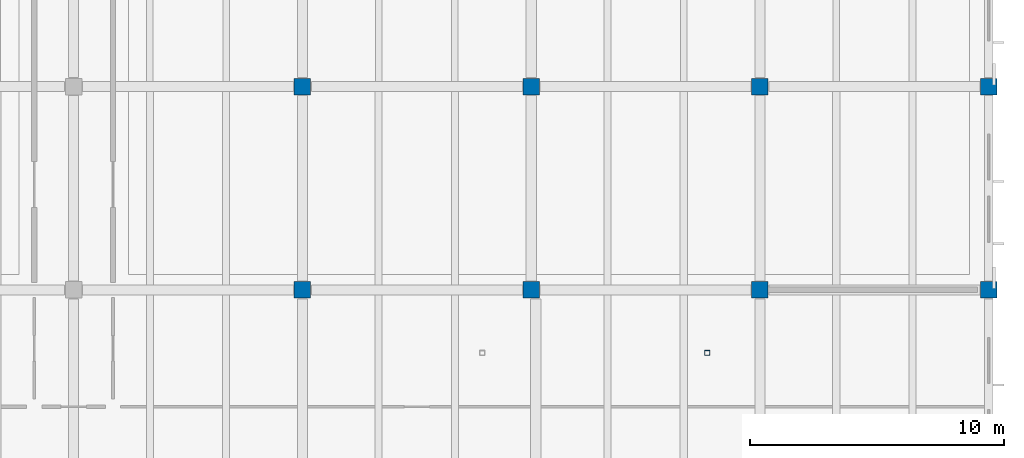
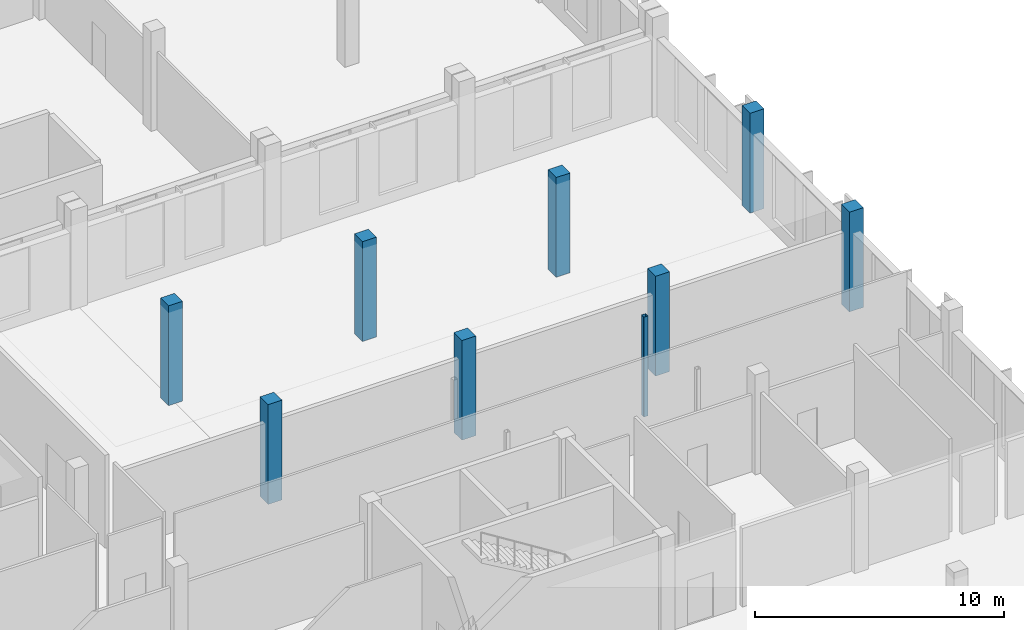
# One storey, part 8 of 110: 9 columns.
"""IFC4 building model written with IfcOpenShell, lengths in metres."""

from ifc_helpers import new_model, si_unit, direction, frame, origin, origin_2d, place, context, subcontext, project, spatial, rectangle, hollow_rectangle, extrude, material, material_profile, profile_set, type_object, element, save


model = new_model("IFC4")

# Units and contexts
model_context = context("Model", 3, precision=1e-05, world=origin(), true_north=direction((0.0, 1.0)))
body_context = subcontext(model_context, "Body", "Model", "MODEL_VIEW")
ifc_project = project(units=[si_unit("LENGTHUNIT", "METRE"), si_unit("AREAUNIT", "SQUARE_METRE"), si_unit("VOLUMEUNIT", "CUBIC_METRE"), si_unit("PLANEANGLEUNIT", "RADIAN"), si_unit("MASSUNIT", "GRAM", prefix="KILO")], contexts=[model_context])

# Site, building, storey
site_placement = place(None, origin())
site = spatial("IfcSite", under=ifc_project, at=site_placement, CompositionType="ELEMENT")
building_placement = place(site_placement, origin())
building = spatial("IfcBuilding", under=site, at=building_placement, Name="Zacnel Wholesale Market", CompositionType="ELEMENT")
storey_placement = place(building_placement, frame((0.0, 0.0, 6.300048828125)))
storey = spatial("IfcBuildingStorey", under=building, at=storey_placement, Name="L02", CompositionType="ELEMENT", Elevation=6.300048828125)

# Columns
ifc_material_1 = material(Name="Precast concrete C45/55", Category="concrete")
ifc_material_profile_1 = material_profile(ifc_material_1, rectangle(XDim=0.64990234375, YDim=0.64990234375, at=origin_2d()), Name="PC 650x650")
ifc_profile_set_1 = profile_set([ifc_material_profile_1], Name="Precast concrete C45/55")
column_type_1 = type_object("IfcColumnType", Name="COL-PC650", PredefinedType="COLUMN", material=ifc_profile_set_1)
for number, where, z_axis, x_axis, name in (
    (1, (189.0, 32.0, 0.0), (0.0, 0.0, 1.0), (1.0, 0.0, 0.0), "Precast column L02-0595"),
    (2, (189.0, 40.0, 0.0), (0.0, 0.0, 1.0), (1.0, 0.0, 0.0), "Precast column L02-0596"),
    (3, (198.0, 32.0, 0.0), (0.0, 0.0, 1.0), (1.0, 0.0, 0.0), "Precast column L02-0611"),
    (4, (198.0, 40.0, 0.0), (0.0, 0.0, 1.0), (1.0, 0.0, 0.0), "Precast column L02-0612"),
    (5, (207.0, 32.0, 0.0), (0.0, 0.0, 1.0), (1.0, 0.0, 0.0), "Precast column L02-0624"),
    (6, (207.0, 40.0, 0.0), (0.0, 0.0, 1.0), (1.0, 0.0, 0.0), "Precast column L02-0625"),
    (7, (216.0, 32.0, 0.0), (0.0, 0.0, 1.0), (1.0, 0.0, 0.0), "Precast column L02-0637"),
    (8, (216.0, 40.0, 0.0), (0.0, 0.0, 1.0), (1.0, 0.0, 0.0), "Precast column L02-0638"),
):
    element("IfcColumn", number, at=place(storey_placement, frame(where, z_axis=z_axis, x_axis=x_axis)), inside=storey, type_object=column_type_1, Name=name, PredefinedType="COLUMN", context=body_context, shape_type="SweptSolid", body=[
        extrude(rectangle(XDim=0.64990234375, YDim=0.64990234375, at=origin_2d()), origin(), (0.0, 0.0, 1.0), 4.89990234375),
    ])
ifc_material_2 = material(Name="Steel S355", Category="steel")
ifc_material_profile_2 = material_profile(ifc_material_2, hollow_rectangle(XDim=0.199951171875, YDim=0.199951171875, WallThickness=0.010009765625, InnerFilletRadius=0.010009765625, OuterFilletRadius=0.02001953125, at=origin_2d()), Name="HSS 200x200x10")
ifc_profile_set_2 = profile_set([ifc_material_profile_2], Name="Steel S355")
column_type_2 = type_object("IfcColumnType", Name="COL-STL-HSS200", PredefinedType="COLUMN", material=ifc_profile_set_2)
column_placement = place(storey_placement, frame((204.925048828125, 29.52490234375, 0.0), z_axis=(0.0, 0.0, 1.0), x_axis=(1.0, 0.0, 0.0)))
element("IfcColumn", 9, at=column_placement, inside=storey, type_object=column_type_2, Name="Stair ST-26 shaft support column L02-4", PredefinedType="COLUMN", context=body_context, shape_type="SweptSolid", body=[
    extrude(hollow_rectangle(XDim=0.199951171875, YDim=0.199951171875, WallThickness=0.010009765625, InnerFilletRadius=0.010009765625, OuterFilletRadius=0.02001953125, at=origin_2d()), origin(), (0.0, 0.0, 1.0), 4.89990234375),
])

save(model, "model.ifc")
